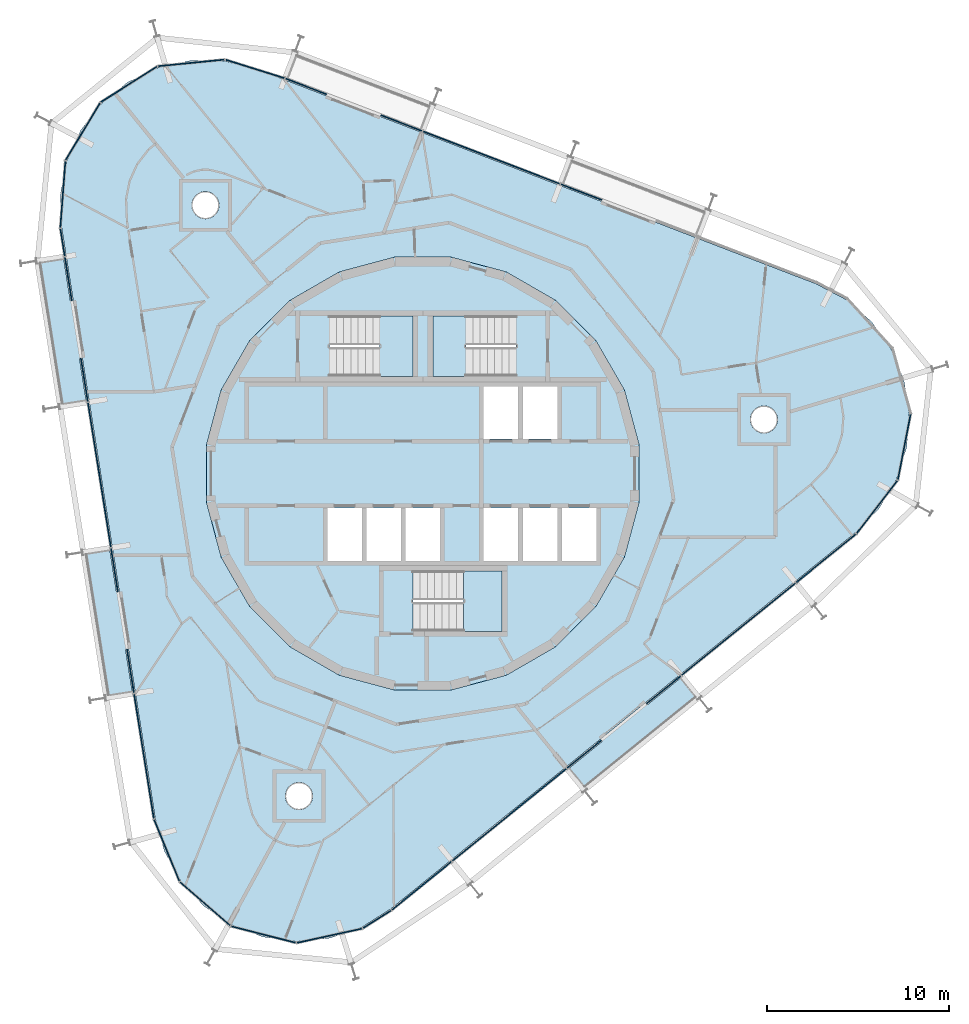
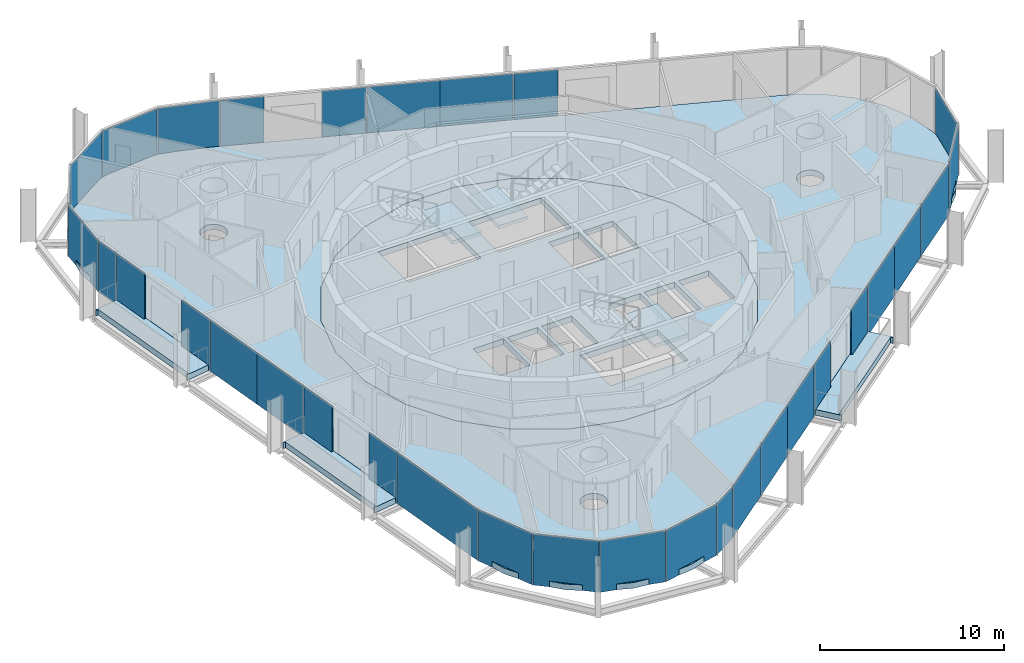
# One storey, part 10 of 18: 33 plates, 8 slabs, 9 elements without a shape of their own.
"""IFC4 building model written with IfcOpenShell, lengths in metres."""

from ifc_helpers import new_model, si_unit, direction, frame, origin, origin_2d, place, context, subcontext, project, spatial, polyline, rectangle, outline, extrude, material, layer, layer_set, type_object, element, aggregate, save


model = new_model("IFC4")

# Units and contexts
model_context = context("Model", 3, precision=1e-05, world=origin(), true_north=direction((0.0, 1.0)))
body_context = subcontext(model_context, "Body", "Model", "MODEL_VIEW")
ifc_project = project(units=[si_unit("LENGTHUNIT", "METRE"), si_unit("AREAUNIT", "SQUARE_METRE"), si_unit("VOLUMEUNIT", "CUBIC_METRE"), si_unit("PLANEANGLEUNIT", "RADIAN"), si_unit("MASSUNIT", "GRAM", prefix="KILO")], contexts=[model_context])

# Site, building, storey
site_placement = place(None, origin())
site = spatial("IfcSite", under=ifc_project, at=site_placement, CompositionType="ELEMENT")
building_placement = place(site_placement, origin())
building = spatial("IfcBuilding", under=site, at=building_placement, Name="Spindle Arch Residences", CompositionType="ELEMENT")
storey_placement = place(building_placement, frame((0.0, 0.0, 280.89990234375)))
storey = spatial("IfcBuildingStorey", under=building, at=storey_placement, Name="L72", CompositionType="ELEMENT", Elevation=280.89990234375)

# Slabs
ifc_material_1 = material(Name="Concrete C40/50", Category="concrete")
ifc_layer_1 = layer(ifc_material_1, 0.3798828125)
ifc_layer_set_1 = layer_set([ifc_layer_1], Name="Balcony slab 380")
slab_type_1 = type_object("IfcSlabType", Name="Balcony slab 380", PredefinedType="FLOOR", material=ifc_layer_set_1)
slab_1_placement = place(storey_placement, frame((0.0, 0.0, -0.3798828125)))
element("IfcSlab", 1, at=slab_1_placement, inside=storey, type_object=slab_type_1, Name="Balcony L72 bay 12", PredefinedType="FLOOR", context=body_context, shape_type="SweptSolid", body=[
    extrude(outline(polyline([(-21.224365234375, 11.611572265625), (-21.212646484375, 11.53759765625), (-21.064453125, 11.56103515625), (-19.843017578125, 3.849609375), (-19.9912109375, 3.826171875), (-19.9794921875, 3.751953125), (-18.5078125, 3.985107421875), (-18.8798828125, 6.334716796875), (-18.721923828125, 6.359619140625), (-19.22265625, 9.520263671875), (-19.380615234375, 9.4951171875), (-19.752685546875, 11.8447265625), (-21.224365234375, 11.611572265625)])), origin(), (0.0, 0.0, 1.0), 0.3798828125),
])
slab_2_placement = place(storey_placement, frame((0.0, 0.0, -0.3798828125)))
element("IfcSlab", 2, at=slab_2_placement, inside=storey, type_object=slab_type_1, Name="Balcony L72 bay 14", PredefinedType="FLOOR", context=body_context, shape_type="SweptSolid", body=[
    extrude(outline(polyline([(-18.687744140625, -4.40380859375), (-18.676025390625, -4.47802734375), (-18.52783203125, -4.45458984375), (-17.306396484375, -12.166015625), (-17.45458984375, -12.189453125), (-17.44287109375, -12.263427734375), (-15.97119140625, -12.030517578125), (-16.343505859375, -9.680908203125), (-16.185302734375, -9.656005859375), (-16.68603515625, -6.495361328125), (-16.843994140625, -6.520263671875), (-17.216064453125, -4.1708984375), (-18.687744140625, -4.40380859375)])), origin(), (0.0, 0.0, 1.0), 0.3798828125),
])
slab_3_placement = place(storey_placement, frame((0.0, 0.0, -0.3798828125)))
element("IfcSlab", 3, at=slab_3_placement, inside=storey, type_object=slab_type_1, Name="Balcony L72 bay 20", PredefinedType="FLOOR", context=body_context, shape_type="SweptSolid", body=[
    extrude(outline(polyline([(8.957275390625, -17.383544921875), (9.015625, -17.33642578125), (8.921142578125, -17.219970703125), (14.98876953125, -12.306396484375), (15.083251953125, -12.4228515625), (15.141357421875, -12.375732421875), (14.203857421875, -11.2177734375), (12.35498046875, -12.71484375), (12.25439453125, -12.590576171875), (9.767578125, -14.604248046875), (9.8681640625, -14.728759765625), (8.01953125, -16.2255859375), (8.957275390625, -17.383544921875)])), origin(), (0.0, 0.0, 1.0), 0.3798828125),
])
ifc_material_2 = material(Name="Concrete C50/60", Category="concrete")
ifc_layer_2 = layer(ifc_material_2, 0.3798828125)
ifc_layer_set_2 = layer_set([ifc_layer_2], Name="Core floor slab 380")
slab_type_2 = type_object("IfcSlabType", Name="Core floor slab 380", PredefinedType="FLOOR", material=ifc_layer_set_2)
slab_4_placement = place(storey_placement, frame((0.0, 0.0, -0.3798828125)))
element("IfcSlab", 4, at=slab_4_placement, inside=storey, type_object=slab_type_2, Name="Core floor L72", PredefinedType="FLOOR", context=body_context, shape_type="SweptSolid", body=[
    extrude(outline(polyline([(1.56640625, -11.897216796875), (4.59228515625, -11.086669921875), (7.30517578125, -9.520263671875), (9.520263671875, -7.30517578125), (11.086669921875, -4.59228515625), (11.897216796875, -1.56640625), (11.897216796875, 1.56640625), (11.086669921875, 4.59228515625), (9.520263671875, 7.30517578125), (7.30517578125, 9.520263671875), (4.59228515625, 11.086669921875), (1.56640625, 11.897216796875), (-1.56640625, 11.897216796875), (-4.59228515625, 11.086669921875), (-7.30517578125, 9.520263671875), (-9.520263671875, 7.30517578125), (-11.086669921875, 4.59228515625), (-11.897216796875, 1.56640625), (-11.897216796875, -1.56640625), (-11.086669921875, -4.59228515625), (-9.520263671875, -7.30517578125), (-7.30517578125, -9.520263671875), (-4.59228515625, -11.086669921875), (-1.56640625, -11.897216796875), (1.56640625, -11.897216796875)]), holes=[polyline([(3.35009765625, 1.89990234375), (5.25, 1.89990234375), (5.25, 4.800048828125), (3.35009765625, 4.800048828125), (3.35009765625, 1.89990234375)]), polyline([(5.5, 1.89990234375), (7.39990234375, 1.89990234375), (7.39990234375, 4.800048828125), (5.5, 4.800048828125), (5.5, 1.89990234375)]), polyline([(-5.25, -4.800048828125), (-3.35009765625, -4.800048828125), (-3.35009765625, -1.89990234375), (-5.25, -1.89990234375), (-5.25, -4.800048828125)]), polyline([(-3.10009765625, -4.800048828125), (-1.199951171875, -4.800048828125), (-1.199951171875, -1.89990234375), (-3.10009765625, -1.89990234375), (-3.10009765625, -4.800048828125)]), polyline([(-0.949951171875, -4.800048828125), (0.949951171875, -4.800048828125), (0.949951171875, -1.89990234375), (-0.949951171875, -1.89990234375), (-0.949951171875, -4.800048828125)]), polyline([(3.35009765625, -4.800048828125), (5.25, -4.800048828125), (5.25, -1.89990234375), (3.35009765625, -1.89990234375), (3.35009765625, -4.800048828125)]), polyline([(5.5, -4.800048828125), (7.39990234375, -4.800048828125), (7.39990234375, -1.89990234375), (5.5, -1.89990234375), (5.5, -4.800048828125)]), polyline([(7.64990234375, -4.800048828125), (9.550048828125, -4.800048828125), (9.550048828125, -1.89990234375), (7.64990234375, -1.89990234375), (7.64990234375, -4.800048828125)]), polyline([(5.1298828125, 8.669921875), (0.550048828125, 8.669921875), (0.550048828125, 5.35009765625), (5.1298828125, 5.35009765625), (5.1298828125, 8.669921875)]), polyline([(-5.1298828125, 5.35009765625), (-0.550048828125, 5.35009765625), (-0.550048828125, 8.669921875), (-5.1298828125, 8.669921875), (-5.1298828125, 5.35009765625)]), polyline([(-0.530029296875, -8.669921875), (4.35009765625, -8.669921875), (4.35009765625, -5.35009765625), (-0.530029296875, -5.35009765625), (-0.530029296875, -8.669921875)])]), origin(), (0.0, 0.0, 1.0), 0.3798828125),
])

# Stair, slab
ifc_material_3 = material(Name="Concrete C50/60", Category="concrete")
stair_type = type_object("IfcStairType", Name="Exit stair 16 risers", PredefinedType="HALF_TURN_STAIR", material=ifc_material_3)
stair_1_placement = place(storey_placement, origin())
stair_1 = element("IfcStair", 5, at=stair_1_placement, inside=storey, type_object=stair_type, Name="L72 Exit stair ST1", PredefinedType="HALF_TURN_STAIR")
ifc_material_4 = material(Name="Concrete C50/60", Category="concrete")
ifc_layer_3 = layer(ifc_material_4, 0.219970703125)
ifc_layer_set_3 = layer_set([ifc_layer_3], Name="Exit stair landing 220")
slab_type_3 = type_object("IfcSlabType", Name="Exit stair landing 220", PredefinedType="LANDING", material=ifc_layer_set_3)
slab_5_placement = place(storey_placement, frame((0.0, 0.0, 1.530029296875)))
slab_5 = element("IfcSlab", 6, at=slab_5_placement, type_object=slab_type_3, Name="ST1 landing 1", PredefinedType="LANDING", context=body_context, shape_type="SweptSolid", body=[
    extrude(outline(polyline([(2.3701171875, 8.669921875), (0.550048828125, 8.669921875), (0.550048828125, 5.35009765625), (2.3701171875, 5.35009765625), (2.3701171875, 8.669921875)])), origin(), (0.0, 0.0, 1.0), 0.219970703125),
])
aggregate(stair_1, [slab_5])

stair_2_placement = place(storey_placement, origin())
stair_2 = element("IfcStair", 7, at=stair_2_placement, inside=storey, type_object=stair_type, Name="L72 Exit stair ST2", PredefinedType="HALF_TURN_STAIR")
slab_6_placement = place(storey_placement, frame((0.0, 0.0, 1.530029296875)))
slab_6 = element("IfcSlab", 8, at=slab_6_placement, type_object=slab_type_3, Name="ST2 landing 1", PredefinedType="LANDING", context=body_context, shape_type="SweptSolid", body=[
    extrude(outline(polyline([(-2.3701171875, 5.35009765625), (-0.550048828125, 5.35009765625), (-0.550048828125, 8.669921875), (-2.3701171875, 8.669921875), (-2.3701171875, 5.35009765625)])), origin(), (0.0, 0.0, 1.0), 0.219970703125),
])
aggregate(stair_2, [slab_6])

stair_3_placement = place(storey_placement, origin())
stair_3 = element("IfcStair", 9, at=stair_3_placement, inside=storey, type_object=stair_type, Name="L72 Exit stair ST3", PredefinedType="HALF_TURN_STAIR")
slab_7_placement = place(storey_placement, frame((0.0, 0.0, 1.530029296875)))
slab_7 = element("IfcSlab", 10, at=slab_7_placement, type_object=slab_type_3, Name="ST3 landing 1", PredefinedType="LANDING", context=body_context, shape_type="SweptSolid", body=[
    extrude(outline(polyline([(2.22998046875, -8.669921875), (4.35009765625, -8.669921875), (4.35009765625, -5.35009765625), (2.22998046875, -5.35009765625), (2.22998046875, -8.669921875)])), origin(), (0.0, 0.0, 1.0), 0.219970703125),
])
aggregate(stair_3, [slab_7])

# Slab
ifc_material_5 = material(Name="Concrete C40/50", Category="concrete")
ifc_layer_4 = layer(ifc_material_5, 0.3798828125)
ifc_layer_set_4 = layer_set([ifc_layer_4], Name="Floor slab 380")
slab_type_4 = type_object("IfcSlabType", Name="Floor slab 380", PredefinedType="FLOOR", material=ifc_layer_set_4)
slab_8_placement = place(storey_placement, frame((0.0, 0.0, -0.3798828125)))
element("IfcSlab", 11, at=slab_8_placement, inside=storey, type_object=slab_type_4, Name="Floor slab L72", PredefinedType="FLOOR", context=body_context, shape_type="SweptSolid", body=[
    extrude(outline(polyline([(-3.341552734375, -24.9423828125), (-5.097900390625, -25.547119140625), (-6.9462890625, -25.73046875), (-8.787109375, -25.482666015625), (-10.521240234375, -24.81689453125), (-12.054931640625, -23.769287109375), (-13.305908203125, -22.396240234375), (-14.20654296875, -20.771484375), (-14.7080078125, -18.983154296875), (-19.854248046875, 13.509033203125), (-19.929931640625, 15.364990234375), (-19.575439453125, 17.188232421875), (-18.81005859375, 18.880859375), (-17.675048828125, 20.35107421875), (-16.231689453125, 21.52001953125), (-14.557373046875, 22.32470703125), (-12.74267578125, 22.721435546875), (-10.885498046875, 22.68896484375), (-9.0859375, 22.22900390625), (21.626220703125, 10.439697265625), (23.271484375, 9.577392578125), (24.67333984375, 8.358642578125), (25.75634765625, 6.849609375), (26.462158203125, 5.131591796875), (26.752685546875, 3.296875), (26.6123046875, 1.444580078125), (26.048583984375, -0.3251953125), (25.092041015625, -1.917236328125), (23.7939453125, -3.24609375), (11.010986328125, -13.597412109375), (-1.77197265625, -23.94873046875), (-3.341552734375, -24.9423828125)]), holes=[polyline([(7.30517578125, -9.520263671875), (9.520263671875, -7.30517578125), (11.086669921875, -4.59228515625), (11.897216796875, -1.56640625), (11.897216796875, 1.56640625), (11.086669921875, 4.59228515625), (9.520263671875, 7.30517578125), (7.30517578125, 9.520263671875), (4.59228515625, 11.086669921875), (1.56640625, 11.897216796875), (-1.56640625, 11.897216796875), (-4.59228515625, 11.086669921875), (-7.30517578125, 9.520263671875), (-9.520263671875, 7.30517578125), (-11.086669921875, 4.59228515625), (-11.897216796875, 1.56640625), (-11.897216796875, -1.56640625), (-11.086669921875, -4.59228515625), (-9.520263671875, -7.30517578125), (-7.30517578125, -9.520263671875), (-4.59228515625, -11.086669921875), (-1.56640625, -11.897216796875), (1.56640625, -11.897216796875), (4.59228515625, -11.086669921875), (7.30517578125, -9.520263671875)]), polyline([(-6.2763671875, -18.261962890625), (-6.18310546875, -18.1484375), (-6.11376953125, -18.018798828125), (-6.071044921875, -17.8779296875), (-6.056640625, -17.731689453125), (-6.071044921875, -17.58544921875), (-6.11376953125, -17.444580078125), (-6.18310546875, -17.31494140625), (-6.2763671875, -17.201416015625), (-6.389892578125, -17.108154296875), (-6.51953125, -17.038818359375), (-6.660400390625, -16.99609375), (-6.806640625, -16.981689453125), (-6.952880859375, -16.99609375), (-7.093505859375, -17.038818359375), (-7.223388671875, -17.108154296875), (-7.3369140625, -17.201416015625), (-7.43017578125, -17.31494140625), (-7.49951171875, -17.444580078125), (-7.542236328125, -17.58544921875), (-7.556640625, -17.731689453125), (-7.542236328125, -17.8779296875), (-7.49951171875, -18.018798828125), (-7.43017578125, -18.1484375), (-7.3369140625, -18.261962890625), (-7.223388671875, -18.355224609375), (-7.093505859375, -18.424560546875), (-6.952880859375, -18.46728515625), (-6.806640625, -18.481689453125), (-6.660400390625, -18.46728515625), (-6.51953125, -18.424560546875), (-6.389892578125, -18.355224609375), (-6.2763671875, -18.261962890625)]), polyline([(-11.3291015625, 14.34375), (-11.260009765625, 14.473388671875), (-11.21728515625, 14.6142578125), (-11.202880859375, 14.760498046875), (-11.21728515625, 14.90673828125), (-11.260009765625, 15.047607421875), (-11.3291015625, 15.17724609375), (-11.422607421875, 15.290771484375), (-11.5361328125, 15.384033203125), (-11.665771484375, 15.453369140625), (-11.806396484375, 15.49609375), (-11.952880859375, 15.510498046875), (-12.09912109375, 15.49609375), (-12.23974609375, 15.453369140625), (-12.369384765625, 15.384033203125), (-12.483154296875, 15.290771484375), (-12.576416015625, 15.17724609375), (-12.645751953125, 15.047607421875), (-12.6884765625, 14.90673828125), (-12.702880859375, 14.760498046875), (-12.6884765625, 14.6142578125), (-12.645751953125, 14.473388671875), (-12.576416015625, 14.34375), (-12.483154296875, 14.230224609375), (-12.369384765625, 14.136962890625), (-12.23974609375, 14.067626953125), (-12.09912109375, 14.02490234375), (-11.952880859375, 14.010498046875), (-11.806396484375, 14.02490234375), (-11.665771484375, 14.067626953125), (-11.5361328125, 14.136962890625), (-11.422607421875, 14.230224609375), (-11.3291015625, 14.34375)]), polyline([(19.383056640625, 2.554443359375), (19.452392578125, 2.68408203125), (19.4951171875, 2.824951171875), (19.509521484375, 2.97119140625), (19.4951171875, 3.117431640625), (19.452392578125, 3.25830078125), (19.383056640625, 3.387939453125), (19.289794921875, 3.50146484375), (19.176025390625, 3.5947265625), (19.04638671875, 3.6640625), (18.90576171875, 3.706787109375), (18.759521484375, 3.72119140625), (18.613037109375, 3.706787109375), (18.472412109375, 3.6640625), (18.3427734375, 3.5947265625), (18.22900390625, 3.50146484375), (18.1357421875, 3.387939453125), (18.06640625, 3.25830078125), (18.023681640625, 3.117431640625), (18.009521484375, 2.97119140625), (18.023681640625, 2.824951171875), (18.06640625, 2.68408203125), (18.1357421875, 2.554443359375), (18.22900390625, 2.44091796875), (18.3427734375, 2.34765625), (18.472412109375, 2.2783203125), (18.613037109375, 2.235595703125), (18.759521484375, 2.22119140625), (18.90576171875, 2.235595703125), (19.04638671875, 2.2783203125), (19.176025390625, 2.34765625), (19.289794921875, 2.44091796875), (19.383056640625, 2.554443359375)])]), origin(), (0.0, 0.0, 1.0), 0.3798828125),
])

# Curtain wall, plates
ifc_material_6 = material(Name="Aluminium bronze unitised frame with tinted glass", Category="aluminium")
ifc_layer_5 = layer(ifc_material_6, 0.159912109375)
ifc_layer_set_5 = layer_set([ifc_layer_5], Name="CW-D corner wall on the fillet arcs")
curtain_wall_type_1 = type_object("IfcCurtainWallType", Name="CW-D corner wall on the fillet arcs", PredefinedType="NOTDEFINED", material=ifc_layer_set_5)
curtain_wall_1_placement = place(storey_placement, origin())
curtain_wall_1 = element("IfcCurtainWall", 12, at=curtain_wall_1_placement, inside=storey, type_object=curtain_wall_type_1, Name="CW-D L72 run 1", PredefinedType="NOTDEFINED")
ifc_material_7 = material(Name="Tinted double glazing over aluminium faced non-combustible spandrel zone (K0)", Category="aluminium")
ifc_layer_6 = layer(ifc_material_7, 0.06005859375)
ifc_layer_set_6 = layer_set([ifc_layer_6], Name="Unitised glass panel with E 60 spandrel zone")
plate_type = type_object("IfcPlateType", Name="Unitised glass panel with E 60 spandrel zone", PredefinedType="CURTAIN_PANEL", material=ifc_layer_set_6)
plate_1_placement = place(storey_placement, frame((22.178466796875, -4.6572265625, -0.3798828125), z_axis=(0.0, 0.0, 1.0), x_axis=(0.777145961457, 0.62932039105, 0.0)))
plate_1 = element("IfcPlate", 13, at=plate_1_placement, type_object=plate_type, Name="CW-D unit 00", PredefinedType="CURTAIN_PANEL", context=body_context, shape_type="SweptSolid", body=[
    extrude(rectangle(XDim=4.227294921875, YDim=0.06005859375, at=origin_2d()), origin(), (0.0, 0.0, 1.0), 3.3798828125),
])
plate_2_placement = place(storey_placement, frame((24.98291015625, -1.833251953125, -0.3798828125), z_axis=(0.0, 0.0, 1.0), x_axis=(0.611066622764, 0.791579170105, 0.0)))
plate_2 = element("IfcPlate", 14, at=plate_2_placement, type_object=plate_type, Name="CW-D unit 01", PredefinedType="CURTAIN_PANEL", context=body_context, shape_type="SweptSolid", body=[
    extrude(rectangle(XDim=3.666748046875, YDim=0.06005859375, at=origin_2d()), origin(), (0.0, 0.0, 1.0), 3.3798828125),
])
plate_3_placement = place(storey_placement, frame((26.47705078125, 1.470947265625, -0.3798828125), z_axis=(0.0, 0.0, 1.0), x_axis=(0.190808994811, 0.981627183558, 0.0)))
plate_3 = element("IfcPlate", 15, at=plate_3_placement, type_object=plate_type, Name="CW-D unit 02", PredefinedType="CURTAIN_PANEL", context=body_context, shape_type="SweptSolid", body=[
    extrude(rectangle(XDim=3.666748046875, YDim=0.06005859375, at=origin_2d()), origin(), (0.0, 0.0, 1.0), 3.3798828125),
])
aggregate(curtain_wall_1, [plate_1, plate_2, plate_3])

ifc_material_8 = material(Name="Aluminium bronze unitised frame with tinted glass", Category="aluminium")
ifc_layer_7 = layer(ifc_material_8, 0.159912109375)
ifc_layer_set_7 = layer_set([ifc_layer_7], Name="CW-C typical residential unitised wall")
curtain_wall_type_2 = type_object("IfcCurtainWallType", Name="CW-C typical residential unitised wall", PredefinedType="NOTDEFINED", material=ifc_layer_set_7)
curtain_wall_2_placement = place(storey_placement, origin())
curtain_wall_2 = element("IfcCurtainWall", 16, at=curtain_wall_2_placement, inside=storey, type_object=curtain_wall_type_2, Name="CW-C L72 run 2", PredefinedType="NOTDEFINED")
plate_4_placement = place(storey_placement, frame((8.7197265625, 15.47998046875, -0.3798828125), z_axis=(0.0, 0.0, 1.0), x_axis=(-0.933580426497, 0.358367949545, 0.0)))
plate_4 = element("IfcPlate", 17, at=plate_4_placement, type_object=plate_type, Name="CW-C unit 05R", PredefinedType="CURTAIN_PANEL", context=body_context, shape_type="SweptSolid", body=[
    extrude(rectangle(XDim=2.423828125, YDim=0.06005859375, at=origin_2d()), origin(), (0.0, 0.0, 1.0), 3.3798828125),
])
plate_5_placement = place(storey_placement, frame((5.654052734375, 16.65673828125, -0.3798828125), z_axis=(0.0, 0.0, 1.0), x_axis=(-0.933580426497, 0.358367949545, 0.0)))
plate_5 = element("IfcPlate", 18, at=plate_5_placement, type_object=plate_type, Name="CW-C unit 06A", PredefinedType="CURTAIN_PANEL", context=body_context, shape_type="SweptSolid", body=[
    extrude(rectangle(XDim=4.023681640625, YDim=0.06005859375, at=origin_2d()), origin(), (0.0, 0.0, 1.0), 3.3798828125),
])
plate_6_placement = place(storey_placement, frame((1.897705078125, 18.0986328125, -0.3798828125), z_axis=(0.0, 0.0, 1.0), x_axis=(-0.933580426497, 0.358367949545, 0.0)))
plate_6 = element("IfcPlate", 19, at=plate_6_placement, type_object=plate_type, Name="CW-C unit 06B", PredefinedType="CURTAIN_PANEL", context=body_context, shape_type="SweptSolid", body=[
    extrude(rectangle(XDim=4.023681640625, YDim=0.06005859375, at=origin_2d()), origin(), (0.0, 0.0, 1.0), 3.3798828125),
])
plate_7_placement = place(storey_placement, frame((-1.16796875, 19.275390625, -0.3798828125), z_axis=(0.0, 0.0, 1.0), x_axis=(-0.933580426497, 0.358367949545, 0.0)))
plate_7 = element("IfcPlate", 20, at=plate_7_placement, type_object=plate_type, Name="CW-C unit 07L", PredefinedType="CURTAIN_PANEL", context=body_context, shape_type="SweptSolid", body=[
    extrude(rectangle(XDim=2.423828125, YDim=0.06005859375, at=origin_2d()), origin(), (0.0, 0.0, 1.0), 3.3798828125),
])
plate_8_placement = place(storey_placement, frame((-6.41845703125, 21.290771484375, -0.3798828125), z_axis=(0.0, 0.0, 1.0), x_axis=(-0.933580426497, 0.358367949545, 0.0)))
plate_8 = element("IfcPlate", 21, at=plate_8_placement, type_object=plate_type, Name="CW-C unit 07R", PredefinedType="CURTAIN_PANEL", context=body_context, shape_type="SweptSolid", body=[
    extrude(rectangle(XDim=2.423828125, YDim=0.06005859375, at=origin_2d()), origin(), (0.0, 0.0, 1.0), 3.3798828125),
])
aggregate(curtain_wall_2, [plate_4, plate_5, plate_6, plate_7, plate_8])

curtain_wall_3_placement = place(storey_placement, origin())
curtain_wall_3 = element("IfcCurtainWall", 22, at=curtain_wall_3_placement, inside=storey, type_object=curtain_wall_type_1, Name="CW-D L72 run 3", PredefinedType="NOTDEFINED")
plate_9_placement = place(storey_placement, frame((-9.226318359375, 22.252197265625, -0.3798828125), z_axis=(0.0, 0.0, 1.0), x_axis=(-0.954314920262, 0.298802665594, 0.0)))
plate_9 = element("IfcPlate", 23, at=plate_9_placement, type_object=plate_type, Name="CW-D unit 00", PredefinedType="CURTAIN_PANEL", context=body_context, shape_type="SweptSolid", body=[
    extrude(rectangle(XDim=3.39501953125, YDim=0.06005859375, at=origin_2d()), origin(), (0.0, 0.0, 1.0), 3.3798828125),
])
plate_10_placement = place(storey_placement, frame((-12.729248046875, 22.584228515625, -0.3798828125), z_axis=(0.0, 0.0, 1.0), x_axis=(-0.995113183485, -0.098740832762, 0.0)))
plate_10 = element("IfcPlate", 24, at=plate_10_placement, type_object=plate_type, Name="CW-D unit 01", PredefinedType="CURTAIN_PANEL", context=body_context, shape_type="SweptSolid", body=[
    extrude(rectangle(XDim=3.666748046875, YDim=0.06005859375, at=origin_2d()), origin(), (0.0, 0.0, 1.0), 3.3798828125),
])
plate_11_placement = place(storey_placement, frame((-16.157958984375, 21.403564453125, -0.3798828125), z_axis=(0.0, 0.0, 1.0), x_axis=(-0.844950814707, -0.534844015322, 0.0)))
plate_11 = element("IfcPlate", 25, at=plate_11_placement, type_object=plate_type, Name="CW-D unit 02", PredefinedType="CURTAIN_PANEL", context=body_context, shape_type="SweptSolid", body=[
    extrude(rectangle(XDim=3.666748046875, YDim=0.06005859375, at=origin_2d()), origin(), (0.0, 0.0, 1.0), 3.3798828125),
])
plate_12_placement = place(storey_placement, frame((-18.692138671875, 18.809814453125, -0.3798828125), z_axis=(0.0, 0.0, 1.0), x_axis=(-0.515038072875, -0.857167301925, 0.0)))
plate_12 = element("IfcPlate", 26, at=plate_12_placement, type_object=plate_type, Name="CW-D unit 03", PredefinedType="CURTAIN_PANEL", context=body_context, shape_type="SweptSolid", body=[
    extrude(rectangle(XDim=3.666748046875, YDim=0.06005859375, at=origin_2d()), origin(), (0.0, 0.0, 1.0), 3.3798828125),
])
plate_13_placement = place(storey_placement, frame((-19.79248046875, 15.3544921875, -0.3798828125), z_axis=(0.0, 0.0, 1.0), x_axis=(-0.07555884997, -0.997141344139, 0.0)))
plate_13 = element("IfcPlate", 27, at=plate_13_placement, type_object=plate_type, Name="CW-D unit 04", PredefinedType="CURTAIN_PANEL", context=body_context, shape_type="SweptSolid", body=[
    extrude(rectangle(XDim=3.666748046875, YDim=0.06005859375, at=origin_2d()), origin(), (0.0, 0.0, 1.0), 3.3798828125),
])
plate_14_placement = place(storey_placement, frame((-19.809326171875, 12.7138671875, -0.3798828125), z_axis=(0.0, 0.0, 1.0), x_axis=(0.15643446504, -0.987688340595, 0.0)))
plate_14 = element("IfcPlate", 28, at=plate_14_placement, type_object=plate_type, Name="CW-D unit 05", PredefinedType="CURTAIN_PANEL", context=body_context, shape_type="SweptSolid", body=[
    extrude(rectangle(XDim=1.524658203125, YDim=0.06005859375, at=origin_2d()), origin(), (0.0, 0.0, 1.0), 3.3798828125),
])
aggregate(curtain_wall_3, [plate_9, plate_10, plate_11, plate_12, plate_13, plate_14])

curtain_wall_4_placement = place(storey_placement, origin())
curtain_wall_4 = element("IfcCurtainWall", 29, at=curtain_wall_4_placement, inside=storey, type_object=curtain_wall_type_2, Name="CW-C L72 run 4", PredefinedType="NOTDEFINED")
plate_15_placement = place(storey_placement, frame((-19.4912109375, 10.704833984375, -0.3798828125), z_axis=(0.0, 0.0, 1.0), x_axis=(0.15643446504, -0.987688340595, 0.0)))
plate_15 = element("IfcPlate", 30, at=plate_15_placement, type_object=plate_type, Name="CW-C unit 11L", PredefinedType="CURTAIN_PANEL", context=body_context, shape_type="SweptSolid", body=[
    extrude(rectangle(XDim=2.423828125, YDim=0.06005859375, at=origin_2d()), origin(), (0.0, 0.0, 1.0), 3.3798828125),
])
plate_16_placement = place(storey_placement, frame((-18.611328125, 5.150146484375, -0.3798828125), z_axis=(0.0, 0.0, 1.0), x_axis=(0.15643446504, -0.987688340595, 0.0)))
plate_16 = element("IfcPlate", 31, at=plate_16_placement, type_object=plate_type, Name="CW-C unit 11R", PredefinedType="CURTAIN_PANEL", context=body_context, shape_type="SweptSolid", body=[
    extrude(rectangle(XDim=2.423828125, YDim=0.06005859375, at=origin_2d()), origin(), (0.0, 0.0, 1.0), 3.3798828125),
])
plate_17_placement = place(storey_placement, frame((-18.09765625, 1.90673828125, -0.3798828125), z_axis=(0.0, 0.0, 1.0), x_axis=(0.15643446504, -0.987688340595, 0.0)))
plate_17 = element("IfcPlate", 32, at=plate_17_placement, type_object=plate_type, Name="CW-C unit 12A", PredefinedType="CURTAIN_PANEL", context=body_context, shape_type="SweptSolid", body=[
    extrude(rectangle(XDim=4.023681640625, YDim=0.06005859375, at=origin_2d()), origin(), (0.0, 0.0, 1.0), 3.3798828125),
])
plate_18_placement = place(storey_placement, frame((-17.46826171875, -2.0673828125, -0.3798828125), z_axis=(0.0, 0.0, 1.0), x_axis=(0.15643446504, -0.987688340595, 0.0)))
plate_18 = element("IfcPlate", 33, at=plate_18_placement, type_object=plate_type, Name="CW-C unit 12B", PredefinedType="CURTAIN_PANEL", context=body_context, shape_type="SweptSolid", body=[
    extrude(rectangle(XDim=4.023681640625, YDim=0.06005859375, at=origin_2d()), origin(), (0.0, 0.0, 1.0), 3.3798828125),
])
plate_19_placement = place(storey_placement, frame((-16.95458984375, -5.310791015625, -0.3798828125), z_axis=(0.0, 0.0, 1.0), x_axis=(0.15643446504, -0.987688340595, 0.0)))
plate_19 = element("IfcPlate", 34, at=plate_19_placement, type_object=plate_type, Name="CW-C unit 13L", PredefinedType="CURTAIN_PANEL", context=body_context, shape_type="SweptSolid", body=[
    extrude(rectangle(XDim=2.423828125, YDim=0.06005859375, at=origin_2d()), origin(), (0.0, 0.0, 1.0), 3.3798828125),
])
plate_20_placement = place(storey_placement, frame((-16.07470703125, -10.865478515625, -0.3798828125), z_axis=(0.0, 0.0, 1.0), x_axis=(0.15643446504, -0.987688340595, 0.0)))
plate_20 = element("IfcPlate", 35, at=plate_20_placement, type_object=plate_type, Name="CW-C unit 13R", PredefinedType="CURTAIN_PANEL", context=body_context, shape_type="SweptSolid", body=[
    extrude(rectangle(XDim=2.423828125, YDim=0.06005859375, at=origin_2d()), origin(), (0.0, 0.0, 1.0), 3.3798828125),
])
aggregate(curtain_wall_4, [plate_15, plate_16, plate_17, plate_18, plate_19, plate_20])

curtain_wall_5_placement = place(storey_placement, origin())
curtain_wall_5 = element("IfcCurtainWall", 36, at=curtain_wall_5_placement, inside=storey, type_object=curtain_wall_type_1, Name="CW-D L72 run 5", PredefinedType="NOTDEFINED")
plate_21_placement = place(storey_placement, frame((-15.333740234375, -15.5439453125, -0.3798828125), z_axis=(0.0, 0.0, 1.0), x_axis=(0.15643446504, -0.987688340595, 0.0)))
plate_21 = element("IfcPlate", 37, at=plate_21_placement, type_object=plate_type, Name="CW-D unit 00", PredefinedType="CURTAIN_PANEL", context=body_context, shape_type="SweptSolid", body=[
    extrude(rectangle(XDim=6.9296875, YDim=0.06005859375, at=origin_2d()), origin(), (0.0, 0.0, 1.0), 3.3798828125),
])
plate_22_placement = place(storey_placement, frame((-14.0791015625, -20.71923828125, -0.3798828125), z_axis=(0.0, 0.0, 1.0), x_axis=(0.379994360085, -0.92498880334, 0.0)))
plate_22 = element("IfcPlate", 38, at=plate_22_placement, type_object=plate_type, Name="CW-D unit 01", PredefinedType="CURTAIN_PANEL", context=body_context, shape_type="SweptSolid", body=[
    extrude(rectangle(XDim=3.666748046875, YDim=0.06005859375, at=origin_2d()), origin(), (0.0, 0.0, 1.0), 3.3798828125),
])
plate_23_placement = place(storey_placement, frame((-11.964599609375, -23.665283203125, -0.3798828125), z_axis=(0.0, 0.0, 1.0), x_axis=(0.754709583074, -0.656059025711, 0.0)))
plate_23 = element("IfcPlate", 39, at=plate_23_placement, type_object=plate_type, Name="CW-D unit 02", PredefinedType="CURTAIN_PANEL", context=body_context, shape_type="SweptSolid", body=[
    extrude(rectangle(XDim=3.666748046875, YDim=0.06005859375, at=origin_2d()), origin(), (0.0, 0.0, 1.0), 3.3798828125),
])
plate_24_placement = place(storey_placement, frame((-8.7529296875, -25.34912109375, -0.3798828125), z_axis=(0.0, 0.0, 1.0), x_axis=(0.968871869392, -0.247562720743, 0.0)))
plate_24 = element("IfcPlate", 40, at=plate_24_placement, type_object=plate_type, Name="CW-D unit 03", PredefinedType="CURTAIN_PANEL", context=body_context, shape_type="SweptSolid", body=[
    extrude(rectangle(XDim=3.666748046875, YDim=0.06005859375, at=origin_2d()), origin(), (0.0, 0.0, 1.0), 3.3798828125),
])
plate_25_placement = place(storey_placement, frame((-5.127197265625, -25.412353515625, -0.3798828125), z_axis=(0.0, 0.0, 1.0), x_axis=(0.976921473489, 0.213598770213, 0.0)))
plate_25 = element("IfcPlate", 41, at=plate_25_placement, type_object=plate_type, Name="CW-D unit 04", PredefinedType="CURTAIN_PANEL", context=body_context, shape_type="SweptSolid", body=[
    extrude(rectangle(XDim=3.666748046875, YDim=0.06005859375, at=origin_2d()), origin(), (0.0, 0.0, 1.0), 3.3798828125),
])
plate_26_placement = place(storey_placement, frame((-2.51416015625, -24.5126953125, -0.3798828125), z_axis=(0.0, 0.0, 1.0), x_axis=(0.844950816658, 0.53484401224, 0.0)))
plate_26 = element("IfcPlate", 42, at=plate_26_placement, type_object=plate_type, Name="CW-D unit 05", PredefinedType="CURTAIN_PANEL", context=body_context, shape_type="SweptSolid", body=[
    extrude(rectangle(XDim=1.816162109375, YDim=0.06005859375, at=origin_2d()), origin(), (0.0, 0.0, 1.0), 3.3798828125),
])
plate_27_placement = place(storey_placement, frame((-0.0556640625, -22.662109375, -0.3798828125), z_axis=(0.0, 0.0, 1.0), x_axis=(0.777145961457, 0.62932039105, 0.0)))
plate_27 = element("IfcPlate", 43, at=plate_27_placement, type_object=plate_type, Name="CW-D unit 06", PredefinedType="CURTAIN_PANEL", context=body_context, shape_type="SweptSolid", body=[
    extrude(rectangle(XDim=4.227294921875, YDim=0.06005859375, at=origin_2d()), origin(), (0.0, 0.0, 1.0), 3.3798828125),
])
aggregate(curtain_wall_5, [plate_21, plate_22, plate_23, plate_24, plate_25, plate_26, plate_27])

curtain_wall_6_placement = place(storey_placement, origin())
curtain_wall_6 = element("IfcCurtainWall", 44, at=curtain_wall_6_placement, inside=storey, type_object=curtain_wall_type_2, Name="CW-C L72 run 6", PredefinedType="NOTDEFINED")
plate_28_placement = place(storey_placement, frame((3.197021484375, -20.028076171875, -0.3798828125), z_axis=(0.0, 0.0, 1.0), x_axis=(0.777145961457, 0.62932039105, 0.0)))
plate_28 = element("IfcPlate", 45, at=plate_28_placement, type_object=plate_type, Name="CW-C unit 18A", PredefinedType="CURTAIN_PANEL", context=body_context, shape_type="SweptSolid", body=[
    extrude(rectangle(XDim=4.023681640625, YDim=0.06005859375, at=origin_2d()), origin(), (0.0, 0.0, 1.0), 3.3798828125),
])
plate_29_placement = place(storey_placement, frame((6.323974609375, -17.49560546875, -0.3798828125), z_axis=(0.0, 0.0, 1.0), x_axis=(0.777145961457, 0.62932039105, 0.0)))
plate_29 = element("IfcPlate", 46, at=plate_29_placement, type_object=plate_type, Name="CW-C unit 18B", PredefinedType="CURTAIN_PANEL", context=body_context, shape_type="SweptSolid", body=[
    extrude(rectangle(XDim=4.023681640625, YDim=0.06005859375, at=origin_2d()), origin(), (0.0, 0.0, 1.0), 3.3798828125),
])
plate_30_placement = place(storey_placement, frame((8.8759765625, -15.42919921875, -0.3798828125), z_axis=(0.0, 0.0, 1.0), x_axis=(0.777145961457, 0.62932039105, 0.0)))
plate_30 = element("IfcPlate", 47, at=plate_30_placement, type_object=plate_type, Name="CW-C unit 19L", PredefinedType="CURTAIN_PANEL", context=body_context, shape_type="SweptSolid", body=[
    extrude(rectangle(XDim=2.423828125, YDim=0.06005859375, at=origin_2d()), origin(), (0.0, 0.0, 1.0), 3.3798828125),
])
plate_31_placement = place(storey_placement, frame((13.24658203125, -11.889892578125, -0.3798828125), z_axis=(0.0, 0.0, 1.0), x_axis=(0.777145961457, 0.62932039105, 0.0)))
plate_31 = element("IfcPlate", 48, at=plate_31_placement, type_object=plate_type, Name="CW-C unit 19R", PredefinedType="CURTAIN_PANEL", context=body_context, shape_type="SweptSolid", body=[
    extrude(rectangle(XDim=2.423828125, YDim=0.06005859375, at=origin_2d()), origin(), (0.0, 0.0, 1.0), 3.3798828125),
])
plate_32_placement = place(storey_placement, frame((15.798583984375, -9.823486328125, -0.3798828125), z_axis=(0.0, 0.0, 1.0), x_axis=(0.777145961457, 0.62932039105, 0.0)))
plate_32 = element("IfcPlate", 49, at=plate_32_placement, type_object=plate_type, Name="CW-C unit 00A", PredefinedType="CURTAIN_PANEL", context=body_context, shape_type="SweptSolid", body=[
    extrude(rectangle(XDim=4.023681640625, YDim=0.06005859375, at=origin_2d()), origin(), (0.0, 0.0, 1.0), 3.3798828125),
])
plate_33_placement = place(storey_placement, frame((18.925537109375, -7.291259765625, -0.3798828125), z_axis=(0.0, 0.0, 1.0), x_axis=(0.777145961457, 0.62932039105, 0.0)))
plate_33 = element("IfcPlate", 50, at=plate_33_placement, type_object=plate_type, Name="CW-C unit 00B", PredefinedType="CURTAIN_PANEL", context=body_context, shape_type="SweptSolid", body=[
    extrude(rectangle(XDim=4.023681640625, YDim=0.06005859375, at=origin_2d()), origin(), (0.0, 0.0, 1.0), 3.3798828125),
])
aggregate(curtain_wall_6, [plate_28, plate_29, plate_30, plate_31, plate_32, plate_33])

save(model, "model.ifc")
